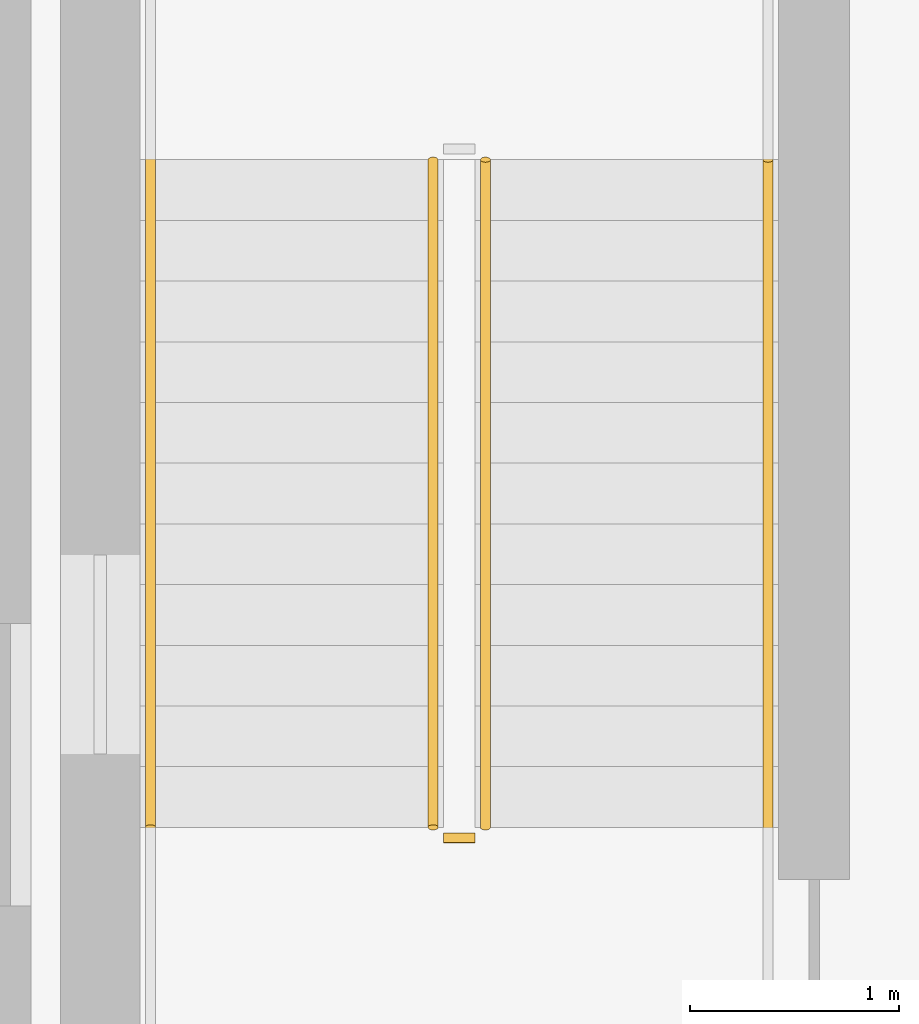
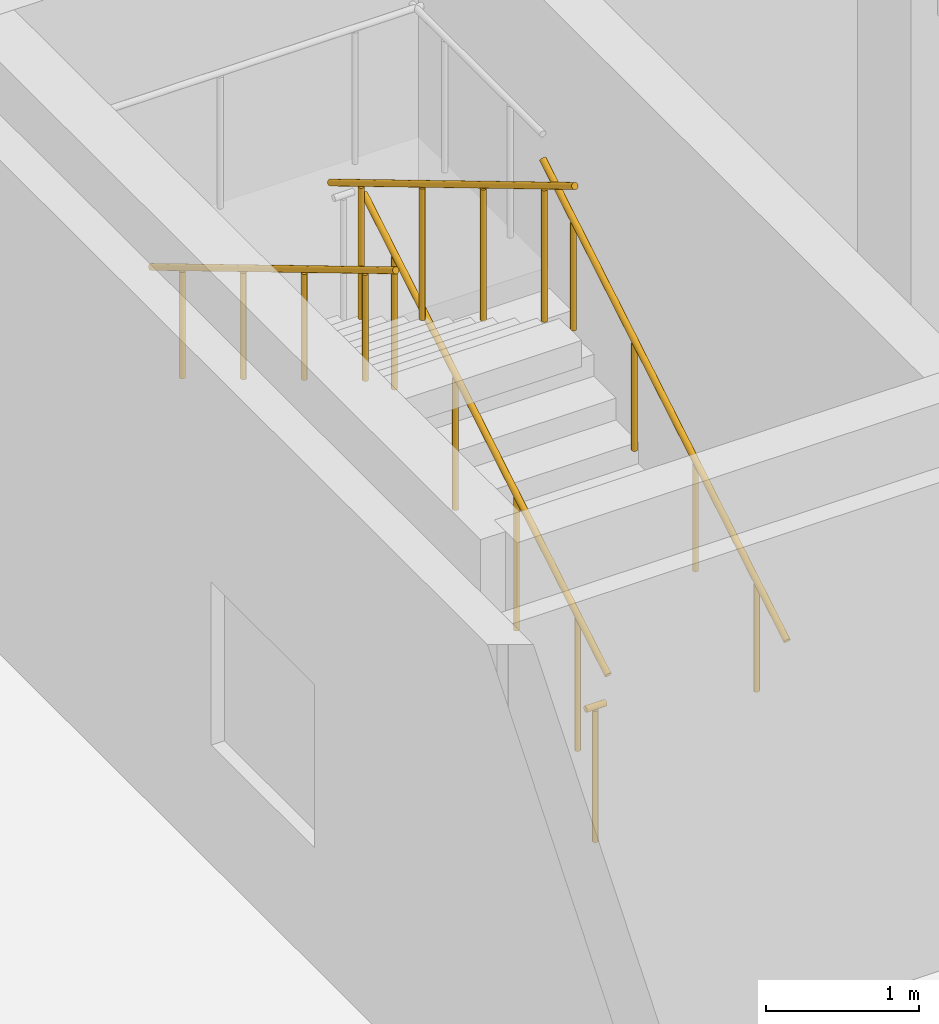
# One storey, part 98 of 114: 5 railings.
"""IFC4 building model written with IfcOpenShell, lengths in metres."""

from ifc_helpers import new_model, si_unit, direction, frame, origin, origin_2d, place, context, subcontext, project, spatial, circle, extrude, material, type_object, element, save


model = new_model("IFC4")

# Units and contexts
model_context = context("Model", 3, precision=1e-05, world=origin(), true_north=direction((0.0, 1.0)))
body_context = subcontext(model_context, "Body", "Model", "MODEL_VIEW")
ifc_project = project(units=[si_unit("LENGTHUNIT", "METRE"), si_unit("AREAUNIT", "SQUARE_METRE"), si_unit("VOLUMEUNIT", "CUBIC_METRE"), si_unit("PLANEANGLEUNIT", "RADIAN"), si_unit("MASSUNIT", "GRAM", prefix="KILO")], contexts=[model_context])

# Site, building, storey
site_placement = place(None, origin())
site = spatial("IfcSite", under=ifc_project, at=site_placement, CompositionType="ELEMENT")
building_placement = place(site_placement, origin())
building = spatial("IfcBuilding", under=site, at=building_placement, Name="Keldmere Railside Commons", CompositionType="ELEMENT")
storey_placement = place(building_placement, origin())
storey = spatial("IfcBuildingStorey", under=building, at=storey_placement, Name="L00", CompositionType="ELEMENT", Elevation=0.0)

# Railings
ifc_material = material(Name="Steel F-24 (S235)", Category="steel")
railing_type_1 = type_object("IfcRailingType", Name="Stair Well Steel Guardrail 1100", PredefinedType="BALUSTRADE", material=ifc_material)
railing_1_placement = place(storey_placement, frame((106.300048828125, 69.199951171875, 0.17333984375)))
element("IfcRailing", 1, at=railing_1_placement, inside=storey, type_object=railing_type_1, Name="L00 ST-B1 stair guard 1", PredefinedType="BALUSTRADE", context=body_context, shape_type="SweptSolid", body=[
    extrude(circle(Radius=0.02392578125, at=origin_2d()), frame((0.0, 0.0, 1.076171875), z_axis=(0.0, 0.858349611844, 0.513065243265), x_axis=(-1.0, 0.0, 0.0)), (0.0, 0.0, 1.0), 3.71630859375),
    extrude(circle(Radius=0.02099609375, at=origin_2d()), frame((0.0, 0.398681640625, 0.23828125)), (0.0, 0.0, 1.0), 1.048095703125),
    extrude(circle(Radius=0.02099609375, at=origin_2d()), frame((0.0, 1.1962890625, 0.715087890625)), (0.0, 0.0, 1.0), 1.048095703125),
    extrude(circle(Radius=0.02099609375, at=origin_2d()), frame((0.0, 1.99365234375, 1.191650390625)), (0.0, 0.0, 1.0), 1.048095703125),
    extrude(circle(Radius=0.02099609375, at=origin_2d()), frame((0.0, 2.791259765625, 1.66845703125)), (0.0, 0.0, 1.0), 1.048095703125),
])
railing_2_placement = place(storey_placement, frame((106.050048828125, 72.389892578125, 2.25341796875)))
element("IfcRailing", 2, at=railing_2_placement, inside=storey, type_object=railing_type_1, Name="L00 ST-B1 stair guard 6", PredefinedType="BALUSTRADE", context=body_context, shape_type="SweptSolid", body=[
    extrude(circle(Radius=0.02392578125, at=origin_2d()), frame((0.0, 0.0, 1.076171875), z_axis=(0.0, -0.858378542117, 0.513016840302), x_axis=(1.0, 0.0, 0.0)), (0.0, 0.0, 1.0), 3.71630859375),
    extrude(circle(Radius=0.02099609375, at=origin_2d()), frame((0.0, -0.398681640625, 0.23828125)), (0.0, 0.0, 1.0), 1.048095703125),
    extrude(circle(Radius=0.02099609375, at=origin_2d()), frame((0.0, -1.1962890625, 0.71484375)), (0.0, 0.0, 1.0), 1.048095703125),
    extrude(circle(Radius=0.02099609375, at=origin_2d()), frame((0.0, -1.99365234375, 1.191650390625)), (0.0, 0.0, 1.0), 1.048095703125),
    extrude(circle(Radius=0.02099609375, at=origin_2d()), frame((0.0, -2.791259765625, 1.668212890625)), (0.0, 0.0, 1.0), 1.048095703125),
])
railing_3_placement = place(storey_placement, frame((106.25, 69.14990234375, 0.0)))
element("IfcRailing", 3, at=railing_3_placement, inside=storey, type_object=railing_type_1, Name="L00 ST-B1 stair guard 7", PredefinedType="BALUSTRADE", context=body_context, shape_type="SweptSolid", body=[
    extrude(circle(Radius=0.02392578125, at=origin_2d()), frame((0.0, 0.0, 1.076171875), z_axis=(-1.0, 0.0, 0.0), x_axis=(0.0, -1.0, 0.0)), (0.0, 0.0, 1.0), 0.14990234375),
    extrude(circle(Radius=0.02099609375, at=origin_2d()), frame((-0.074951171875, 0.0, 0.0)), (0.0, 0.0, 1.0), 1.048095703125),
])
railing_type_2 = type_object("IfcRailingType", Name="Wall-Mounted Tubular Steel Handrail 900", PredefinedType="HANDRAIL", material=ifc_material)
railing_4_placement = place(storey_placement, frame((107.64990234375, 69.199951171875, 0.17333984375)))
element("IfcRailing", 4, at=railing_4_placement, inside=storey, type_object=railing_type_2, Name="L00 ST-B1 stair handrail 1", PredefinedType="HANDRAIL", context=body_context, shape_type="SweptSolid", body=[
    extrude(circle(Radius=0.02392578125, at=origin_2d()), frame((0.0, 0.0, 0.8759765625), z_axis=(0.0, 0.858349611844, 0.513065243265), x_axis=(-1.0, 0.0, 0.0)), (0.0, 0.0, 1.0), 3.71630859375),
    extrude(circle(Radius=0.02099609375, at=origin_2d()), frame((0.0, 0.398681640625, 0.23828125)), (0.0, 0.0, 1.0), 0.847900390625),
    extrude(circle(Radius=0.02099609375, at=origin_2d()), frame((0.0, 1.1962890625, 0.715087890625)), (0.0, 0.0, 1.0), 0.847900390625),
    extrude(circle(Radius=0.02099609375, at=origin_2d()), frame((0.0, 1.99365234375, 1.191650390625)), (0.0, 0.0, 1.0), 0.847900390625),
    extrude(circle(Radius=0.02099609375, at=origin_2d()), frame((0.0, 2.791259765625, 1.66845703125)), (0.0, 0.0, 1.0), 0.847900390625),
])
railing_5_placement = place(storey_placement, frame((104.699951171875, 72.389892578125, 2.25341796875)))
element("IfcRailing", 5, at=railing_5_placement, inside=storey, type_object=railing_type_2, Name="L00 ST-B1 stair handrail 2", PredefinedType="HANDRAIL", context=body_context, shape_type="SweptSolid", body=[
    extrude(circle(Radius=0.02392578125, at=origin_2d()), frame((0.0, 0.0, 0.8759765625), z_axis=(0.0, -0.858378542117, 0.513016840302), x_axis=(1.0, 0.0, 0.0)), (0.0, 0.0, 1.0), 3.71630859375),
    extrude(circle(Radius=0.02099609375, at=origin_2d()), frame((0.0, -0.398681640625, 0.23828125)), (0.0, 0.0, 1.0), 0.847900390625),
    extrude(circle(Radius=0.02099609375, at=origin_2d()), frame((0.0, -1.1962890625, 0.71484375)), (0.0, 0.0, 1.0), 0.847900390625),
    extrude(circle(Radius=0.02099609375, at=origin_2d()), frame((0.0, -1.99365234375, 1.191650390625)), (0.0, 0.0, 1.0), 0.847900390625),
    extrude(circle(Radius=0.02099609375, at=origin_2d()), frame((0.0, -2.791259765625, 1.668212890625)), (0.0, 0.0, 1.0), 0.847900390625),
])

save(model, "model.ifc")
